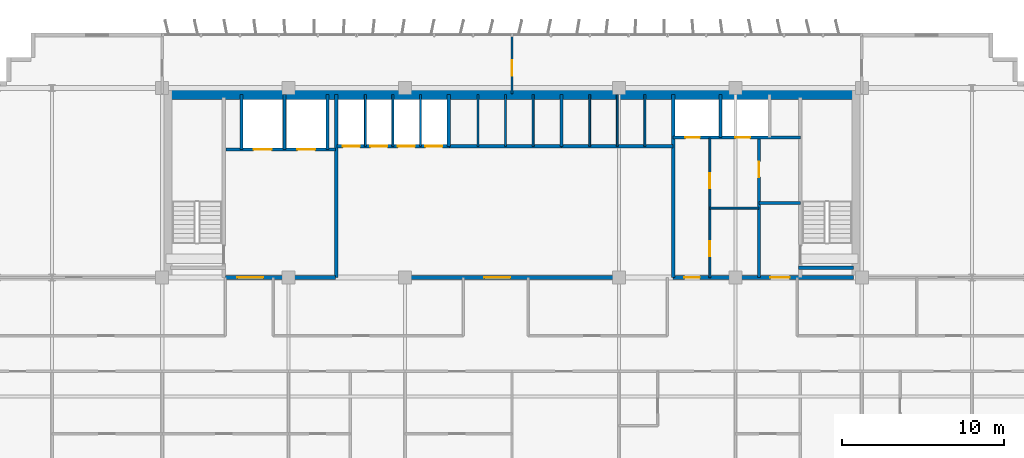
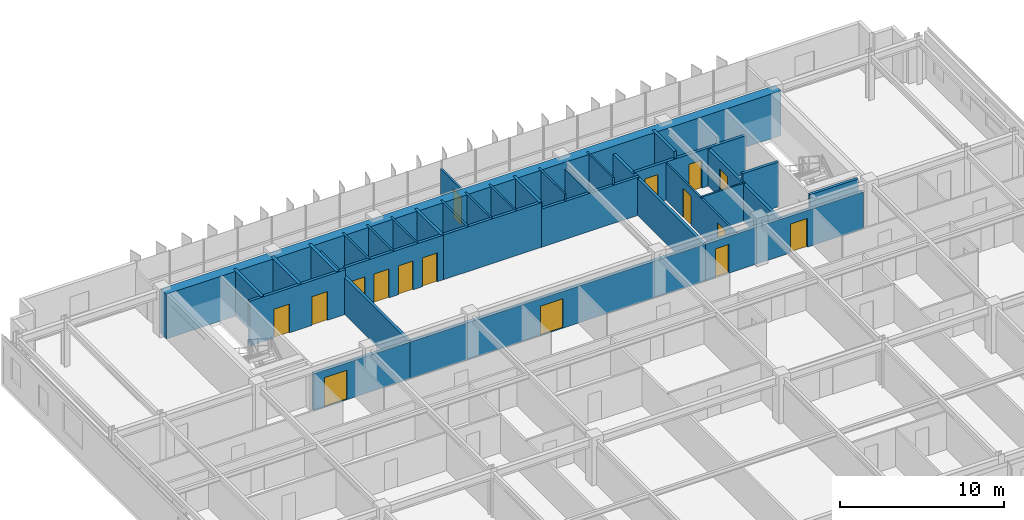
# One storey, part 17 of 21: 32 walls, 16 doors, 16 openings.
"""IFC4 building model written with IfcOpenShell, lengths in metres."""

from ifc_helpers import new_model, si_unit, direction, frame, frame_2d, origin, place, context, subcontext, project, spatial, rectangle, extrude, source, transform, mapped, material, layer, layer_set, type_object, element, fill, save


model = new_model("IFC4")

# Units and contexts
model_context = context("Model", 3, precision=1e-05, world=origin(), true_north=direction((0.0, 1.0)))
body_context = subcontext(model_context, "Body", "Model", "MODEL_VIEW")
ifc_project = project(units=[si_unit("LENGTHUNIT", "METRE"), si_unit("AREAUNIT", "SQUARE_METRE"), si_unit("VOLUMEUNIT", "CUBIC_METRE"), si_unit("PLANEANGLEUNIT", "RADIAN"), si_unit("MASSUNIT", "GRAM", prefix="KILO")], contexts=[model_context])

# Site, building, storey
site_placement = place(None, origin())
site = spatial("IfcSite", under=ifc_project, at=site_placement, CompositionType="ELEMENT")
building_placement = place(site_placement, origin())
building = spatial("IfcBuilding", under=site, at=building_placement, Name="Trelvane Seafront Commons", CompositionType="ELEMENT")
storey_placement = place(building_placement, frame((0.0, 0.0, 106.89990234375)))
storey = spatial("IfcBuildingStorey", under=building, at=storey_placement, Name="L27", CompositionType="ELEMENT", Elevation=106.89990234375)

# Wall, opening, door
ifc_material_1 = material(Name="Concrete C40/50", Category="concrete")
ifc_layer_1 = layer(ifc_material_1, 0.199951171875, Name="ARCH-WALL-FIRE200")
ifc_layer_set_1 = layer_set([ifc_layer_1], Name="Concrete C40/50")
wall_type_1 = type_object("IfcWallType", Name="ARCH-WALL-FIRE200", PredefinedType="PARTITIONING", material=ifc_layer_set_1)
wall_1_placement = place(storey_placement, frame((52.449951171875, 33.39990234375, 0.0), z_axis=(0.0, 0.0, 1.0), x_axis=(0.0, 1.0, 0.0)))
wall_1 = element("IfcWall", 1, at=wall_1_placement, inside=storey, type_object=wall_type_1, Name="W-L27-ST2V-W-033", PredefinedType="PARTITIONING", context=body_context, shape_type="SweptSolid", body=[
    extrude(rectangle(XDim=8.650146484375, YDim=0.199951171875, at=frame_2d((4.3251953125, 0.0))), origin(), (0.0, 0.0, 1.0), 2.752197265625),
])
opening_1_placement = place(wall_1_placement, frame((6.199951171875, 0.0, 0.0)))
opening_1 = element("IfcOpeningElement", 2, at=opening_1_placement, cuts=wall_1, Name="Opening FD-L27-13", PredefinedType="OPENING", context=body_context, shape_type="SweptSolid", body=[
    extrude(rectangle(XDim=0.949951171875, YDim=2.14990234375, at=frame_2d((0.47509765625, 1.074951171875))), frame((0.0, 0.10986328125, 0.0), z_axis=(0.0, -1.0, 0.0), x_axis=(1.0, 0.0, 0.0)), (0.0, 0.0, 1.0), 0.219970703125),
])
ifc_material_2 = material(Name="Powder-coated aluminium frame", Category="aluminium")
door_type_1 = type_object("IfcDoorType", Name="ARCH-DR-FD60-950", OperationType="NOTDEFINED", PredefinedType="DOOR", material=ifc_material_2)
shared_shape_1 = source(origin(), body_context, "Body", "SweptSolid", [
    extrude(rectangle(XDim=0.949951171875, YDim=2.14990234375, at=frame_2d((0.47509765625, 1.074951171875))), frame((0.0, 0.02490234375, 0.0), z_axis=(0.0, -1.0, 0.0), x_axis=(1.0, 0.0, 0.0)), (0.0, 0.0, 1.0), 0.050048828125),
])
door_1_placement = place(opening_1_placement, origin())
door_1 = element("IfcDoor", 3, at=door_1_placement, inside=storey, type_object=door_type_1, Name="L27 Cleaner Store Door", OperationType="SINGLE_SWING_LEFT", OverallHeight=2.14990234375, OverallWidth=0.949951171875, PredefinedType="DOOR", context=body_context, shape_type="MappedRepresentation", body=[
    mapped(shared_shape_1, transform((0.0, 0.0, 0.0), x_axis=(1.0, 0.0, 0.0), y_axis=(0.0, 1.0, 0.0), z_axis=(0.0, 0.0, 1.0), scale=1.0)),
])
fill(opening_1, door_1)

# Wall
wall_2_placement = place(storey_placement, frame((52.449951171875, 38.0, 0.0), z_axis=(0.0, 0.0, 1.0), x_axis=(1.0, 0.0, 0.0)))
element("IfcWall", 4, at=wall_2_placement, inside=storey, type_object=wall_type_1, Name="W-L27-ST2V-N-034", PredefinedType="PARTITIONING", context=body_context, shape_type="SweptSolid", body=[
    extrude(rectangle(XDim=2.550048828125, YDim=0.199951171875, at=frame_2d((1.27490234375, 0.0))), origin(), (0.0, 0.0, 1.0), 3.340087890625),
])

# Wall, opening, door
ifc_layer_2 = layer(ifc_material_1, 0.25, Name="ARCH-WALL-FIRE250")
ifc_layer_set_2 = layer_set([ifc_layer_2], Name="Concrete C40/50")
wall_type_2 = type_object("IfcWallType", Name="ARCH-WALL-FIRE250", PredefinedType="PARTITIONING", material=ifc_layer_set_2)
wall_3_placement = place(storey_placement, frame((19.5, 33.39990234375, 0.0), z_axis=(0.0, 0.0, 1.0), x_axis=(1.0, 0.0, 0.0)))
wall_3 = element("IfcWall", 5, at=wall_3_placement, inside=storey, type_object=wall_type_2, Name="W-L27-CS-FFL-013", PredefinedType="PARTITIONING", context=body_context, shape_type="SweptSolid", body=[
    extrude(rectangle(XDim=6.800048828125, YDim=0.25, at=frame_2d((3.39990234375, 0.0))), origin(), (0.0, 0.0, 1.0), 2.752197265625),
])
opening_2_placement = place(wall_3_placement, frame((0.75, 0.0, 0.0)))
opening_2 = element("IfcOpeningElement", 6, at=opening_2_placement, cuts=wall_3, Name="Opening FD-L27-05", PredefinedType="OPENING", context=body_context, shape_type="SweptSolid", body=[
    extrude(rectangle(XDim=1.60009765625, YDim=2.199951171875, at=frame_2d((0.800048828125, 1.10009765625))), frame((0.0, 0.135009765625, 0.0), z_axis=(0.0, -1.0, 0.0), x_axis=(1.0, 0.0, 0.0)), (0.0, 0.0, 1.0), 0.27001953125),
])
door_type_2 = type_object("IfcDoorType", Name="ARCH-DR-FD60-1600", OperationType="DOUBLE_DOOR_SINGLE_SWING", PredefinedType="DOOR", material=ifc_material_2)
shared_shape_2 = source(origin(), body_context, "Body", "SweptSolid", [
    extrude(rectangle(XDim=1.60009765625, YDim=2.199951171875, at=frame_2d((0.800048828125, 1.10009765625))), frame((0.0, 0.02490234375, 0.0), z_axis=(0.0, -1.0, 0.0), x_axis=(1.0, 0.0, 0.0)), (0.0, 0.0, 1.0), 0.050048828125),
])
door_2_placement = place(opening_2_placement, origin())
door_2 = element("IfcDoor", 7, at=door_2_placement, inside=storey, type_object=door_type_2, Name="L27 Firefighting Lift Lobby Double Fire Door", OperationType="DOUBLE_DOOR_SINGLE_SWING", OverallHeight=2.199951171875, OverallWidth=1.60009765625, PredefinedType="DOOR", context=body_context, shape_type="MappedRepresentation", body=[
    mapped(shared_shape_2, transform((0.0, 0.0, 0.0), x_axis=(1.0, 0.0, 0.0), y_axis=(0.0, 1.0, 0.0), z_axis=(0.0, 0.0, 1.0), scale=1.0)),
])
fill(opening_2, door_2)

wall_4_placement = place(storey_placement, frame((26.300048828125, 33.39990234375, 0.0), z_axis=(0.0, 0.0, 1.0), x_axis=(1.0, 0.0, 0.0)))
wall_4 = element("IfcWall", 8, at=wall_4_placement, inside=storey, type_object=wall_type_2, Name="W-L27-CS-PAX-029", PredefinedType="PARTITIONING", context=body_context, shape_type="SweptSolid", body=[
    extrude(rectangle(XDim=20.849853515625, YDim=0.25, at=frame_2d((10.4248046875, 0.0))), origin(), (0.0, 0.0, 1.0), 2.752197265625),
])
opening_3_placement = place(wall_4_placement, frame((9.199951171875, 0.0, 0.0)))
opening_3 = element("IfcOpeningElement", 9, at=opening_3_placement, cuts=wall_4, Name="Opening FD-L27-10", PredefinedType="OPENING", context=body_context, shape_type="SweptSolid", body=[
    extrude(rectangle(XDim=1.60009765625, YDim=2.199951171875, at=frame_2d((0.800048828125, 1.10009765625))), frame((0.0, 0.135009765625, 0.0), z_axis=(0.0, -1.0, 0.0), x_axis=(1.0, 0.0, 0.0)), (0.0, 0.0, 1.0), 0.27001953125),
])
door_3_placement = place(opening_3_placement, origin())
door_3 = element("IfcDoor", 10, at=door_3_placement, inside=storey, type_object=door_type_2, Name="L27 Passenger Lift Lobby Double Door", OperationType="DOUBLE_DOOR_SINGLE_SWING", OverallHeight=2.199951171875, OverallWidth=1.60009765625, PredefinedType="DOOR", context=body_context, shape_type="MappedRepresentation", body=[
    mapped(shared_shape_2, transform((0.0, 0.0, 0.0), x_axis=(1.0, 0.0, 0.0), y_axis=(0.0, 1.0, 0.0), z_axis=(0.0, 0.0, 1.0), scale=1.0)),
])
fill(opening_3, door_3)

# Wall, openings, doors
wall_5_placement = place(storey_placement, frame((47.14990234375, 33.39990234375, 0.0), z_axis=(0.0, 0.0, 1.0), x_axis=(1.0, 0.0, 0.0)))
wall_5 = element("IfcWall", 11, at=wall_5_placement, inside=storey, type_object=wall_type_2, Name="W-L27-CS-EAST-037", PredefinedType="PARTITIONING", context=body_context, shape_type="SweptSolid", body=[
    extrude(rectangle(XDim=11.150146484375, YDim=0.25, at=frame_2d((5.5751953125, 0.0))), origin(), (0.0, 0.0, 1.0), 2.752197265625),
])
opening_4_placement = place(wall_5_placement, frame((0.699951171875, 0.0, 0.0)))
opening_4 = element("IfcOpeningElement", 12, at=opening_4_placement, cuts=wall_5, Name="Opening FD-L27-16", PredefinedType="OPENING", context=body_context, shape_type="SweptSolid", body=[
    extrude(rectangle(XDim=0.949951171875, YDim=2.14990234375, at=frame_2d((0.47509765625, 1.074951171875))), frame((0.0, 0.135009765625, 0.0), z_axis=(0.0, -1.0, 0.0), x_axis=(1.0, 0.0, 0.0)), (0.0, 0.0, 1.0), 0.27001953125),
])
opening_5_placement = place(wall_5_placement, frame((6.0, 0.0, 0.0)))
opening_5 = element("IfcOpeningElement", 13, at=opening_5_placement, cuts=wall_5, Name="Opening FD-L27-17", PredefinedType="OPENING", context=body_context, shape_type="SweptSolid", body=[
    extrude(rectangle(XDim=1.199951171875, YDim=2.14990234375, at=frame_2d((0.60009765625, 1.074951171875))), frame((0.0, 0.135009765625, 0.0), z_axis=(0.0, -1.0, 0.0), x_axis=(1.0, 0.0, 0.0)), (0.0, 0.0, 1.0), 0.27001953125),
])
door_4_placement = place(opening_4_placement, origin())
door_4 = element("IfcDoor", 14, at=door_4_placement, inside=storey, type_object=door_type_1, Name="L27 Core Service Lobby Door", OperationType="SINGLE_SWING_RIGHT", OverallHeight=2.14990234375, OverallWidth=0.949951171875, PredefinedType="DOOR", context=body_context, shape_type="MappedRepresentation", body=[
    mapped(shared_shape_1, transform((0.0, 0.0, 0.0), x_axis=(1.0, 0.0, 0.0), y_axis=(0.0, 1.0, 0.0), z_axis=(0.0, 0.0, 1.0), scale=1.0)),
])
fill(opening_4, door_4)
door_type_3 = type_object("IfcDoorType", Name="ARCH-DR-FD60-1200", OperationType="NOTDEFINED", PredefinedType="DOOR", material=ifc_material_2)
shared_shape_3 = source(origin(), body_context, "Body", "SweptSolid", [
    extrude(rectangle(XDim=1.199951171875, YDim=2.14990234375, at=frame_2d((0.60009765625, 1.074951171875))), frame((0.0, 0.02490234375, 0.0), z_axis=(0.0, -1.0, 0.0), x_axis=(1.0, 0.0, 0.0)), (0.0, 0.0, 1.0), 0.050048828125),
])
door_5_placement = place(opening_5_placement, origin())
door_5 = element("IfcDoor", 15, at=door_5_placement, inside=storey, type_object=door_type_3, Name="L27 East Stair Vestibule Fire Door", OperationType="SINGLE_SWING_LEFT", OverallHeight=2.14990234375, OverallWidth=1.199951171875, PredefinedType="DOOR", context=body_context, shape_type="MappedRepresentation", body=[
    mapped(shared_shape_3, transform((0.0, 0.0, 0.0), x_axis=(1.0, 0.0, 0.0), y_axis=(0.0, 1.0, 0.0), z_axis=(0.0, 0.0, 1.0), scale=1.0)),
])
fill(opening_5, door_5)

# Walls
ifc_material_3 = material(Name="Gypsum Drywall Acoustic Partition")
ifc_layer_3 = layer(ifc_material_3, 0.1201171875, Name="ARCH-WALL-PART120")
ifc_layer_set_3 = layer_set([ifc_layer_3], Name="Gypsum Drywall Acoustic Partition")
wall_type_3 = type_object("IfcWallType", Name="ARCH-WALL-PART120", PredefinedType="PARTITIONING", material=ifc_layer_set_3)
for number, where, z_axis, x_axis, name in (
    (16, (28.14990234375, 41.5, 0.0), (0.0, 0.0, 1.0), (0.0, 1.0, 0.0), "W-L27-PL-DIV1-016"),
    (17, (29.85009765625, 41.5, 0.0), (0.0, 0.0, 1.0), (0.0, 1.0, 0.0), "W-L27-PL-DIV2-017"),
    (18, (31.550048828125, 41.5, 0.0), (0.0, 0.0, 1.0), (0.0, 1.0, 0.0), "W-L27-PL-DIV3-018"),
    (19, (35.10009765625, 41.5, 0.0), (0.0, 0.0, 1.0), (0.0, 1.0, 0.0), "W-L27-PM-DIV1-020"),
    (20, (36.800048828125, 41.5, 0.0), (0.0, 0.0, 1.0), (0.0, 1.0, 0.0), "W-L27-PM-DIV2-021"),
    (21, (38.5, 41.5, 0.0), (0.0, 0.0, 1.0), (0.0, 1.0, 0.0), "W-L27-PM-DIV3-022"),
    (22, (42.0, 41.5, 0.0), (0.0, 0.0, 1.0), (0.0, 1.0, 0.0), "W-L27-PH-DIV1-025"),
):
    element("IfcWall", number, at=place(storey_placement, frame(where, z_axis=z_axis, x_axis=x_axis)), inside=storey, type_object=wall_type_3, Name=name, PredefinedType="PARTITIONING", context=body_context, shape_type="SweptSolid", body=[
        extrude(rectangle(XDim=3.199951171875, YDim=0.1201171875, at=frame_2d((1.60009765625, 0.0))), origin(), (0.0, 0.0, 1.0), 3.340087890625),
    ])
wall_6_placement = place(storey_placement, frame((43.699951171875, 41.5, 0.0), z_axis=(0.0, 0.0, 1.0), x_axis=(0.0, 1.0, 0.0)))
element("IfcWall", 23, at=wall_6_placement, inside=storey, type_object=wall_type_3, Name="W-L27-PH-DIV2-026", PredefinedType="PARTITIONING", context=body_context, shape_type="SweptSolid", body=[
    extrude(rectangle(XDim=3.199951171875, YDim=0.1201171875, at=frame_2d((1.60009765625, 0.0))), origin(), (0.0, 0.0, 1.0), 2.840087890625),
])
wall_7_placement = place(storey_placement, frame((45.39990234375, 41.5, 0.0), z_axis=(0.0, 0.0, 1.0), x_axis=(0.0, 1.0, 0.0)))
element("IfcWall", 24, at=wall_7_placement, inside=storey, type_object=wall_type_3, Name="W-L27-PH-DIV3-027", PredefinedType="PARTITIONING", context=body_context, shape_type="SweptSolid", body=[
    extrude(rectangle(XDim=3.199951171875, YDim=0.1201171875, at=frame_2d((1.60009765625, 0.0))), origin(), (0.0, 0.0, 1.0), 3.340087890625),
])

# Wall, openings, doors
wall_8_placement = place(storey_placement, frame((49.419921875, 33.39990234375, 0.0), z_axis=(0.0, 0.0, 1.0), x_axis=(0.0, 1.0, 0.0)))
wall_8 = element("IfcWall", 25, at=wall_8_placement, inside=storey, type_object=wall_type_3, Name="W-L27-CYC0-V-035", PredefinedType="PARTITIONING", context=body_context, shape_type="SweptSolid", body=[
    extrude(rectangle(XDim=8.60009765625, YDim=0.1201171875, at=frame_2d((4.300048828125, 0.0))), origin(), (0.0, 0.0, 1.0), 2.752197265625),
])
opening_6_placement = place(wall_8_placement, frame((1.300048828125, 0.0, 0.0)))
opening_6 = element("IfcOpeningElement", 26, at=opening_6_placement, cuts=wall_8, Name="Opening D-L27-14", PredefinedType="OPENING", context=body_context, shape_type="SweptSolid", body=[
    extrude(rectangle(XDim=0.949951171875, YDim=2.14990234375, at=frame_2d((0.47509765625, 1.074951171875))), frame((0.0, 0.070068359375, 0.0), z_axis=(0.0, -1.0, 0.0), x_axis=(1.0, 0.0, 0.0)), (0.0, 0.0, 1.0), 0.14013671875),
])
opening_7_placement = place(wall_8_placement, frame((5.5, 0.0, 0.0)))
opening_7 = element("IfcOpeningElement", 27, at=opening_7_placement, cuts=wall_8, Name="Opening D-L27-15", PredefinedType="OPENING", context=body_context, shape_type="SweptSolid", body=[
    extrude(rectangle(XDim=0.949951171875, YDim=2.14990234375, at=frame_2d((0.47509765625, 1.074951171875))), frame((0.0, 0.070068359375, 0.0), z_axis=(0.0, -1.0, 0.0), x_axis=(1.0, 0.0, 0.0)), (0.0, 0.0, 1.0), 0.14013671875),
])
ifc_material_4 = material(Name="Acoustic timber door leaf", Category="wood")
door_type_4 = type_object("IfcDoorType", Name="ARCH-DR-INT950", OperationType="NOTDEFINED", PredefinedType="DOOR", material=ifc_material_4)
door_6_placement = place(opening_6_placement, origin())
door_6 = element("IfcDoor", 28, at=door_6_placement, inside=storey, type_object=door_type_4, Name="L27 Accessible WC Door", OperationType="SINGLE_SWING_RIGHT", OverallHeight=2.14990234375, OverallWidth=0.949951171875, PredefinedType="DOOR", context=body_context, shape_type="MappedRepresentation", body=[
    mapped(shared_shape_1, transform((0.0, 0.0, 0.0), x_axis=(1.0, 0.0, 0.0), y_axis=(0.0, 1.0, 0.0), z_axis=(0.0, 0.0, 1.0), scale=1.0)),
])
fill(opening_6, door_6)
door_7_placement = place(opening_7_placement, origin())
door_7 = element("IfcDoor", 29, at=door_7_placement, inside=storey, type_object=door_type_4, Name="L27 Common WC Door", OperationType="SINGLE_SWING_LEFT", OverallHeight=2.14990234375, OverallWidth=0.949951171875, PredefinedType="DOOR", context=body_context, shape_type="MappedRepresentation", body=[
    mapped(shared_shape_1, transform((0.0, 0.0, 0.0), x_axis=(1.0, 0.0, 0.0), y_axis=(0.0, 1.0, 0.0), z_axis=(0.0, 0.0, 1.0), scale=1.0)),
])
fill(opening_7, door_7)

# Wall
wall_9_placement = place(storey_placement, frame((49.419921875, 37.679931640625, 0.0), z_axis=(0.0, 0.0, 1.0), x_axis=(1.0, 0.0, 0.0)))
element("IfcWall", 30, at=wall_9_placement, inside=storey, type_object=wall_type_3, Name="W-L27-CYC0-H-036", PredefinedType="PARTITIONING", context=body_context, shape_type="SweptSolid", body=[
    extrude(rectangle(XDim=3.030029296875, YDim=0.1201171875, at=frame_2d((1.51513671875, 0.0))), origin(), (0.0, 0.0, 1.0), 2.840087890625),
])

# Wall, opening, door
wall_10_placement = place(storey_placement, frame((37.199951171875, 44.75, 0.0), z_axis=(0.0, 0.0, 1.0), x_axis=(0.0, 1.0, 0.0)))
wall_10 = element("IfcWall", 31, at=wall_10_placement, inside=storey, type_object=wall_type_3, Name="W-L27-N-MID-DV-051", PredefinedType="PARTITIONING", context=body_context, shape_type="SweptSolid", body=[
    extrude(rectangle(XDim=3.610107421875, YDim=0.1201171875, at=frame_2d((1.80517578125, 0.0))), origin(), (0.0, 0.0, 1.0), 2.752197265625),
])
opening_8_placement = place(wall_10_placement, frame((1.10009765625, 0.0, 0.0)))
opening_8 = element("IfcOpeningElement", 32, at=opening_8_placement, cuts=wall_10, Name="Opening D-L27-25", PredefinedType="OPENING", context=body_context, shape_type="SweptSolid", body=[
    extrude(rectangle(XDim=0.949951171875, YDim=2.14990234375, at=frame_2d((0.47509765625, 1.074951171875))), frame((0.0, 0.070068359375, 0.0), z_axis=(0.0, -1.0, 0.0), x_axis=(1.0, 0.0, 0.0)), (0.0, 0.0, 1.0), 0.14013671875),
])
door_8_placement = place(opening_8_placement, origin())
door_8 = element("IfcDoor", 33, at=door_8_placement, inside=storey, type_object=door_type_4, Name="L27 Door 25", OperationType="SINGLE_SWING_LEFT", OverallHeight=2.14990234375, OverallWidth=0.949951171875, PredefinedType="DOOR", context=body_context, shape_type="MappedRepresentation", body=[
    mapped(shared_shape_1, transform((0.0, 0.0, 0.0), x_axis=(1.0, 0.0, 0.0), y_axis=(0.0, 1.0, 0.0), z_axis=(0.0, 0.0, 1.0), scale=1.0)),
])
fill(opening_8, door_8)

# Wall, openings, doors
ifc_layer_4 = layer(ifc_material_1, 0.199951171875, Name="ARCH-WALL-SHAFT200")
ifc_layer_set_4 = layer_set([ifc_layer_4], Name="Concrete C40/50")
wall_type_4 = type_object("IfcWallType", Name="ARCH-WALL-SHAFT200", PredefinedType="SOLIDWALL", material=ifc_layer_set_4)
wall_11_placement = place(storey_placement, frame((19.550048828125, 41.300048828125, 0.0), z_axis=(0.0, 0.0, 1.0), x_axis=(1.0, 0.0, 0.0)))
wall_11 = element("IfcWall", 34, at=wall_11_placement, inside=storey, type_object=wall_type_4, Name="W-L27-FFL-FRONT-008", PredefinedType="SOLIDWALL", context=body_context, shape_type="SweptSolid", body=[
    extrude(rectangle(XDim=6.75, YDim=0.199951171875, at=frame_2d((3.375, 0.0))), origin(), (0.0, 0.0, 1.0), 3.340087890625),
])
opening_9_placement = place(wall_11_placement, frame((1.699951171875, 0.0, 0.0)))
opening_9 = element("IfcOpeningElement", 35, at=opening_9_placement, cuts=wall_11, Name="Opening LD-FF1-L27", PredefinedType="OPENING", context=body_context, shape_type="SweptSolid", body=[
    extrude(rectangle(XDim=1.10009765625, YDim=2.14990234375, at=frame_2d((0.550048828125, 1.074951171875))), frame((0.0, 0.10986328125, 0.0), z_axis=(0.0, -1.0, 0.0), x_axis=(1.0, 0.0, 0.0)), (0.0, 0.0, 1.0), 0.219970703125),
])
opening_10_placement = place(wall_11_placement, frame((4.39990234375, 0.0, 0.0)))
opening_10 = element("IfcOpeningElement", 36, at=opening_10_placement, cuts=wall_11, Name="Opening LD-FF2-L27", PredefinedType="OPENING", context=body_context, shape_type="SweptSolid", body=[
    extrude(rectangle(XDim=1.10009765625, YDim=2.14990234375, at=frame_2d((0.550048828125, 1.074951171875))), frame((0.0, 0.10986328125, 0.0), z_axis=(0.0, -1.0, 0.0), x_axis=(1.0, 0.0, 0.0)), (0.0, 0.0, 1.0), 0.219970703125),
])
ifc_material_5 = material(Name="Stainless steel balustrade", Category="steel")
door_type_5 = type_object("IfcDoorType", Name="ARCH-DR-LD1100", OperationType="DOUBLE_DOOR_SLIDING", PredefinedType="DOOR", material=ifc_material_5)
shared_shape_4 = source(origin(), body_context, "Body", "SweptSolid", [
    extrude(rectangle(XDim=1.10009765625, YDim=2.14990234375, at=frame_2d((0.550048828125, 1.074951171875))), frame((0.0, 0.02490234375, 0.0), z_axis=(0.0, -1.0, 0.0), x_axis=(1.0, 0.0, 0.0)), (0.0, 0.0, 1.0), 0.050048828125),
])
door_9_placement = place(opening_9_placement, origin())
door_9 = element("IfcDoor", 37, at=door_9_placement, inside=storey, type_object=door_type_5, Name="L27 Firefighting Lift FFL-1 Landing Door", OperationType="DOUBLE_DOOR_SLIDING", OverallHeight=2.14990234375, OverallWidth=1.10009765625, PredefinedType="DOOR", context=body_context, shape_type="MappedRepresentation", body=[
    mapped(shared_shape_4, transform((0.0, 0.0, 0.0), x_axis=(1.0, 0.0, 0.0), y_axis=(0.0, 1.0, 0.0), z_axis=(0.0, 0.0, 1.0), scale=1.0)),
])
fill(opening_9, door_9)
door_10_placement = place(opening_10_placement, origin())
door_10 = element("IfcDoor", 38, at=door_10_placement, inside=storey, type_object=door_type_5, Name="L27 Firefighting Lift FFL-2 Landing Door", OperationType="DOUBLE_DOOR_SLIDING", OverallHeight=2.14990234375, OverallWidth=1.10009765625, PredefinedType="DOOR", context=body_context, shape_type="MappedRepresentation", body=[
    mapped(shared_shape_4, transform((0.0, 0.0, 0.0), x_axis=(1.0, 0.0, 0.0), y_axis=(0.0, 1.0, 0.0), z_axis=(0.0, 0.0, 1.0), scale=1.0)),
])
fill(opening_10, door_10)

# Walls
for number, where, z_axis, x_axis, name in (
    (39, (20.5, 41.300048828125, 0.0), (0.0, 0.0, 1.0), (0.0, 1.0, 0.0), "W-L27-FFL-SH-W-009"),
    (40, (23.14990234375, 41.300048828125, 0.0), (0.0, 0.0, 1.0), (0.0, 1.0, 0.0), "W-L27-FFL-DIV-010"),
    (41, (25.800048828125, 41.300048828125, 0.0), (0.0, 0.0, 1.0), (0.0, 1.0, 0.0), "W-L27-FFL-SH-E-011"),
):
    element("IfcWall", number, at=place(storey_placement, frame(where, z_axis=z_axis, x_axis=x_axis)), inside=storey, type_object=wall_type_4, Name=name, PredefinedType="SOLIDWALL", context=body_context, shape_type="SweptSolid", body=[
        extrude(rectangle(XDim=3.39990234375, YDim=0.199951171875, at=frame_2d((1.699951171875, 0.0))), origin(), (0.0, 0.0, 1.0), 3.340087890625),
    ])
wall_12_placement = place(storey_placement, frame((26.35009765625, 33.39990234375, 0.0), z_axis=(0.0, 0.0, 1.0), x_axis=(0.0, 1.0, 0.0)))
element("IfcWall", 42, at=wall_12_placement, inside=storey, type_object=wall_type_4, Name="W-L27-FFL-EAST-012", PredefinedType="SOLIDWALL", context=body_context, shape_type="SweptSolid", body=[
    extrude(rectangle(XDim=11.300048828125, YDim=0.199951171875, at=frame_2d((5.64990234375, 0.0))), origin(), (0.0, 0.0, 1.0), 2.752197265625),
])

# Wall, openings, doors
wall_13_placement = place(storey_placement, frame((26.39990234375, 41.5, 0.0), z_axis=(0.0, 0.0, 1.0), x_axis=(1.0, 0.0, 0.0)))
wall_13 = element("IfcWall", 43, at=wall_13_placement, inside=storey, type_object=wall_type_4, Name="W-L27-PL-FRONT-014", PredefinedType="SOLIDWALL", context=body_context, shape_type="SweptSolid", body=[
    extrude(rectangle(XDim=6.9501953125, YDim=0.199951171875, at=frame_2d((3.47509765625, 0.0))), origin(), (0.0, 0.0, 1.0), 3.340087890625),
])
opening_11_placement = place(wall_13_placement, frame((0.35009765625, 0.0, 0.0)))
opening_11 = element("IfcOpeningElement", 44, at=opening_11_placement, cuts=wall_13, Name="Opening LD-PL1-L27", PredefinedType="OPENING", context=body_context, shape_type="SweptSolid", body=[
    extrude(rectangle(XDim=1.050048828125, YDim=2.14990234375, at=frame_2d((0.52490234375, 1.074951171875))), frame((0.0, 0.10986328125, 0.0), z_axis=(0.0, -1.0, 0.0), x_axis=(1.0, 0.0, 0.0)), (0.0, 0.0, 1.0), 0.219970703125),
])
opening_12_placement = place(wall_13_placement, frame((2.050048828125, 0.0, 0.0)))
opening_12 = element("IfcOpeningElement", 45, at=opening_12_placement, cuts=wall_13, Name="Opening LD-PL2-L27", PredefinedType="OPENING", context=body_context, shape_type="SweptSolid", body=[
    extrude(rectangle(XDim=1.050048828125, YDim=2.14990234375, at=frame_2d((0.52490234375, 1.074951171875))), frame((0.0, 0.10986328125, 0.0), z_axis=(0.0, -1.0, 0.0), x_axis=(1.0, 0.0, 0.0)), (0.0, 0.0, 1.0), 0.219970703125),
])
opening_13_placement = place(wall_13_placement, frame((3.75, 0.0, 0.0)))
opening_13 = element("IfcOpeningElement", 46, at=opening_13_placement, cuts=wall_13, Name="Opening LD-PL3-L27", PredefinedType="OPENING", context=body_context, shape_type="SweptSolid", body=[
    extrude(rectangle(XDim=1.050048828125, YDim=2.14990234375, at=frame_2d((0.52490234375, 1.074951171875))), frame((0.0, 0.10986328125, 0.0), z_axis=(0.0, -1.0, 0.0), x_axis=(1.0, 0.0, 0.0)), (0.0, 0.0, 1.0), 0.219970703125),
])
opening_14_placement = place(wall_13_placement, frame((5.449951171875, 0.0, 0.0)))
opening_14 = element("IfcOpeningElement", 47, at=opening_14_placement, cuts=wall_13, Name="Opening LD-PL4-L27", PredefinedType="OPENING", context=body_context, shape_type="SweptSolid", body=[
    extrude(rectangle(XDim=1.050048828125, YDim=2.14990234375, at=frame_2d((0.52490234375, 1.074951171875))), frame((0.0, 0.10986328125, 0.0), z_axis=(0.0, -1.0, 0.0), x_axis=(1.0, 0.0, 0.0)), (0.0, 0.0, 1.0), 0.219970703125),
])
door_type_6 = type_object("IfcDoorType", Name="ARCH-DR-LD1050", OperationType="DOUBLE_DOOR_SLIDING", PredefinedType="DOOR", material=ifc_material_5)
shared_shape_5 = source(origin(), body_context, "Body", "SweptSolid", [
    extrude(rectangle(XDim=1.050048828125, YDim=2.14990234375, at=frame_2d((0.52490234375, 1.074951171875))), frame((0.0, 0.02490234375, 0.0), z_axis=(0.0, -1.0, 0.0), x_axis=(1.0, 0.0, 0.0)), (0.0, 0.0, 1.0), 0.050048828125),
])
door_11_placement = place(opening_11_placement, origin())
door_11 = element("IfcDoor", 48, at=door_11_placement, inside=storey, type_object=door_type_6, Name="L27 Passenger Lift PL-1 Landing Door", OperationType="DOUBLE_DOOR_SLIDING", OverallHeight=2.14990234375, OverallWidth=1.050048828125, PredefinedType="DOOR", context=body_context, shape_type="MappedRepresentation", body=[
    mapped(shared_shape_5, transform((0.0, 0.0, 0.0), x_axis=(1.0, 0.0, 0.0), y_axis=(0.0, 1.0, 0.0), z_axis=(0.0, 0.0, 1.0), scale=1.0)),
])
fill(opening_11, door_11)
door_12_placement = place(opening_12_placement, origin())
door_12 = element("IfcDoor", 49, at=door_12_placement, inside=storey, type_object=door_type_6, Name="L27 Passenger Lift PL-2 Landing Door", OperationType="DOUBLE_DOOR_SLIDING", OverallHeight=2.14990234375, OverallWidth=1.050048828125, PredefinedType="DOOR", context=body_context, shape_type="MappedRepresentation", body=[
    mapped(shared_shape_5, transform((0.0, 0.0, 0.0), x_axis=(1.0, 0.0, 0.0), y_axis=(0.0, 1.0, 0.0), z_axis=(0.0, 0.0, 1.0), scale=1.0)),
])
fill(opening_12, door_12)
door_13_placement = place(opening_13_placement, origin())
door_13 = element("IfcDoor", 50, at=door_13_placement, inside=storey, type_object=door_type_6, Name="L27 Passenger Lift PL-3 Landing Door", OperationType="DOUBLE_DOOR_SLIDING", OverallHeight=2.14990234375, OverallWidth=1.050048828125, PredefinedType="DOOR", context=body_context, shape_type="MappedRepresentation", body=[
    mapped(shared_shape_5, transform((0.0, 0.0, 0.0), x_axis=(1.0, 0.0, 0.0), y_axis=(0.0, 1.0, 0.0), z_axis=(0.0, 0.0, 1.0), scale=1.0)),
])
fill(opening_13, door_13)
door_14_placement = place(opening_14_placement, origin())
door_14 = element("IfcDoor", 51, at=door_14_placement, inside=storey, type_object=door_type_6, Name="L27 Passenger Lift PL-4 Landing Door", OperationType="DOUBLE_DOOR_SLIDING", OverallHeight=2.14990234375, OverallWidth=1.050048828125, PredefinedType="DOOR", context=body_context, shape_type="MappedRepresentation", body=[
    mapped(shared_shape_5, transform((0.0, 0.0, 0.0), x_axis=(1.0, 0.0, 0.0), y_axis=(0.0, 1.0, 0.0), z_axis=(0.0, 0.0, 1.0), scale=1.0)),
])
fill(opening_14, door_14)

# Walls
wall_14_placement = place(storey_placement, frame((33.300048828125, 41.5, 0.0), z_axis=(0.0, 0.0, 1.0), x_axis=(0.0, 1.0, 0.0)))
element("IfcWall", 52, at=wall_14_placement, inside=storey, type_object=wall_type_4, Name="W-L27-PL-EAST-SH-015", PredefinedType="SOLIDWALL", context=body_context, shape_type="SweptSolid", body=[
    extrude(rectangle(XDim=3.199951171875, YDim=0.199951171875, at=frame_2d((1.60009765625, 0.0))), origin(), (0.0, 0.0, 1.0), 3.340087890625),
])
wall_15_placement = place(storey_placement, frame((33.35009765625, 41.5, 0.0), z_axis=(0.0, 0.0, 1.0), x_axis=(1.0, 0.0, 0.0)))
element("IfcWall", 53, at=wall_15_placement, inside=storey, type_object=wall_type_4, Name="W-L27-PM-FRONT-019", PredefinedType="SOLIDWALL", context=body_context, shape_type="SweptSolid", body=[
    extrude(rectangle(XDim=6.89990234375, YDim=0.199951171875, at=frame_2d((3.449951171875, 0.0))), origin(), (0.0, 0.0, 1.0), 3.340087890625),
])
wall_16_placement = place(storey_placement, frame((40.25, 41.5, 0.0), z_axis=(0.0, 0.0, 1.0), x_axis=(1.0, 0.0, 0.0)))
element("IfcWall", 54, at=wall_16_placement, inside=storey, type_object=wall_type_4, Name="W-L27-PH-FRONT-023", PredefinedType="SOLIDWALL", context=body_context, shape_type="SweptSolid", body=[
    extrude(rectangle(XDim=6.89990234375, YDim=0.199951171875, at=frame_2d((3.449951171875, 0.0))), origin(), (0.0, 0.0, 1.0), 2.840087890625),
])
wall_17_placement = place(storey_placement, frame((40.25, 41.5, 0.0), z_axis=(0.0, 0.0, 1.0), x_axis=(0.0, 1.0, 0.0)))
element("IfcWall", 55, at=wall_17_placement, inside=storey, type_object=wall_type_4, Name="W-L27-PH-WEST-SH-024", PredefinedType="SOLIDWALL", context=body_context, shape_type="SweptSolid", body=[
    extrude(rectangle(XDim=3.199951171875, YDim=0.199951171875, at=frame_2d((1.60009765625, 0.0))), origin(), (0.0, 0.0, 1.0), 3.340087890625),
])
wall_18_placement = place(storey_placement, frame((47.14990234375, 33.39990234375, 0.0), z_axis=(0.0, 0.0, 1.0), x_axis=(0.0, 1.0, 0.0)))
element("IfcWall", 56, at=wall_18_placement, inside=storey, type_object=wall_type_4, Name="W-L27-PH-EAST-028", PredefinedType="SOLIDWALL", context=body_context, shape_type="SweptSolid", body=[
    extrude(rectangle(XDim=11.300048828125, YDim=0.199951171875, at=frame_2d((5.64990234375, 0.0))), origin(), (0.0, 0.0, 1.0), 2.752197265625),
])

# Wall, openings, doors
wall_19_placement = place(storey_placement, frame((47.14990234375, 42.050048828125, 0.0), z_axis=(0.0, 0.0, 1.0), x_axis=(1.0, 0.0, 0.0)))
wall_19 = element("IfcWall", 57, at=wall_19_placement, inside=storey, type_object=wall_type_4, Name="W-L27-RSR-S-030", PredefinedType="SOLIDWALL", context=body_context, shape_type="SweptSolid", body=[
    extrude(rectangle(XDim=7.85009765625, YDim=0.199951171875, at=frame_2d((3.925048828125, 0.0))), origin(), (0.0, 0.0, 1.0), 2.840087890625),
])
opening_15_placement = place(wall_19_placement, frame((0.75, 0.0, 0.0)))
opening_15 = element("IfcOpeningElement", 58, at=opening_15_placement, cuts=wall_19, Name="Opening FD-L27-11", PredefinedType="OPENING", context=body_context, shape_type="SweptSolid", body=[
    extrude(rectangle(XDim=0.89990234375, YDim=2.10009765625, at=frame_2d((0.449951171875, 1.050048828125))), frame((0.0, 0.10986328125, 0.0), z_axis=(0.0, -1.0, 0.0), x_axis=(1.0, 0.0, 0.0)), (0.0, 0.0, 1.0), 0.219970703125),
])
opening_16_placement = place(wall_19_placement, frame((3.85009765625, 0.0, 0.0)))
opening_16 = element("IfcOpeningElement", 59, at=opening_16_placement, cuts=wall_19, Name="Opening FD-L27-12", PredefinedType="OPENING", context=body_context, shape_type="SweptSolid", body=[
    extrude(rectangle(XDim=0.89990234375, YDim=2.10009765625, at=frame_2d((0.449951171875, 1.050048828125))), frame((0.0, 0.10986328125, 0.0), z_axis=(0.0, -1.0, 0.0), x_axis=(1.0, 0.0, 0.0)), (0.0, 0.0, 1.0), 0.219970703125),
])
door_type_7 = type_object("IfcDoorType", Name="ARCH-DR-FD60-900", OperationType="NOTDEFINED", PredefinedType="DOOR", material=ifc_material_2)
shared_shape_6 = source(origin(), body_context, "Body", "SweptSolid", [
    extrude(rectangle(XDim=0.89990234375, YDim=2.10009765625, at=frame_2d((0.449951171875, 1.050048828125))), frame((0.0, 0.02490234375, 0.0), z_axis=(0.0, -1.0, 0.0), x_axis=(1.0, 0.0, 0.0)), (0.0, 0.0, 1.0), 0.050048828125),
])
door_15_placement = place(opening_15_placement, origin())
door_15 = element("IfcDoor", 60, at=door_15_placement, inside=storey, type_object=door_type_7, Name="L27 Electrical Riser Access Door", OperationType="SINGLE_SWING_LEFT", OverallHeight=2.10009765625, OverallWidth=0.89990234375, PredefinedType="DOOR", context=body_context, shape_type="MappedRepresentation", body=[
    mapped(shared_shape_6, transform((0.0, 0.0, 0.0), x_axis=(1.0, 0.0, 0.0), y_axis=(0.0, 1.0, 0.0), z_axis=(0.0, 0.0, 1.0), scale=1.0)),
])
fill(opening_15, door_15)
door_16_placement = place(opening_16_placement, origin())
door_16 = element("IfcDoor", 61, at=door_16_placement, inside=storey, type_object=door_type_7, Name="L27 Mechanical Riser Access Door", OperationType="SINGLE_SWING_RIGHT", OverallHeight=2.10009765625, OverallWidth=0.89990234375, PredefinedType="DOOR", context=body_context, shape_type="MappedRepresentation", body=[
    mapped(shared_shape_6, transform((0.0, 0.0, 0.0), x_axis=(1.0, 0.0, 0.0), y_axis=(0.0, 1.0, 0.0), z_axis=(0.0, 0.0, 1.0), scale=1.0)),
])
fill(opening_16, door_16)

# Walls
wall_20_placement = place(storey_placement, frame((50.080078125, 42.050048828125, 0.0), z_axis=(0.0, 0.0, 1.0), x_axis=(0.0, 1.0, 0.0)))
element("IfcWall", 62, at=wall_20_placement, inside=storey, type_object=wall_type_4, Name="W-L27-RSR-DIV-031", PredefinedType="SOLIDWALL", context=body_context, shape_type="SweptSolid", body=[
    extrude(rectangle(XDim=2.64990234375, YDim=0.199951171875, at=frame_2d((1.324951171875, 0.0))), origin(), (0.0, 0.0, 1.0), 3.340087890625),
])
ifc_material_6 = material(Name="Concrete C60/75", Category="concrete")
ifc_layer_5 = layer(ifc_material_6, 0.699951171875, Name="STR-WALL-CORE700")
ifc_layer_set_5 = layer_set([ifc_layer_5], Name="Concrete C60/75")
wall_type_5 = type_object("IfcWallType", Name="STR-WALL-CORE700", PredefinedType="SHEAR", material=ifc_layer_set_5)
wall_21_placement = place(storey_placement, frame((15.5, 44.75, 0.0), z_axis=(0.0, 0.0, 1.0), x_axis=(1.0, 0.0, 0.0)))
element("IfcWall", 63, at=wall_21_placement, inside=storey, type_object=wall_type_5, Name="W-L27-CN-ALL-001", PredefinedType="SHEAR", context=body_context, shape_type="SweptSolid", body=[
    extrude(rectangle(XDim=43.39990234375, YDim=0.699951171875, at=frame_2d((21.699951171875, 0.0))), origin(), (0.0, 0.0, 1.0), 3.340087890625),
])
ifc_material_7 = material(Name="Concrete C50/60", Category="concrete")
ifc_layer_6 = layer(ifc_material_7, 0.199951171875, Name="STR-WALL-STAIR200")
ifc_layer_set_6 = layer_set([ifc_layer_6], Name="Concrete C50/60")
wall_type_6 = type_object("IfcWallType", Name="STR-WALL-STAIR200", PredefinedType="SHEAR", material=ifc_layer_set_6)
wall_22_placement = place(storey_placement, frame((54.89990234375, 34.0, 0.0), z_axis=(0.0, 0.0, 1.0), x_axis=(1.0, 0.0, 0.0)))
element("IfcWall", 64, at=wall_22_placement, inside=storey, type_object=wall_type_6, Name="W-L27-ST2-S-006", PredefinedType="SHEAR", context=body_context, shape_type="SweptSolid", body=[
    extrude(rectangle(XDim=3.400146484375, YDim=0.199951171875, at=frame_2d((1.7001953125, 0.0))), origin(), (0.0, 0.0, 1.0), 3.340087890625),
])

save(model, "model.ifc")
